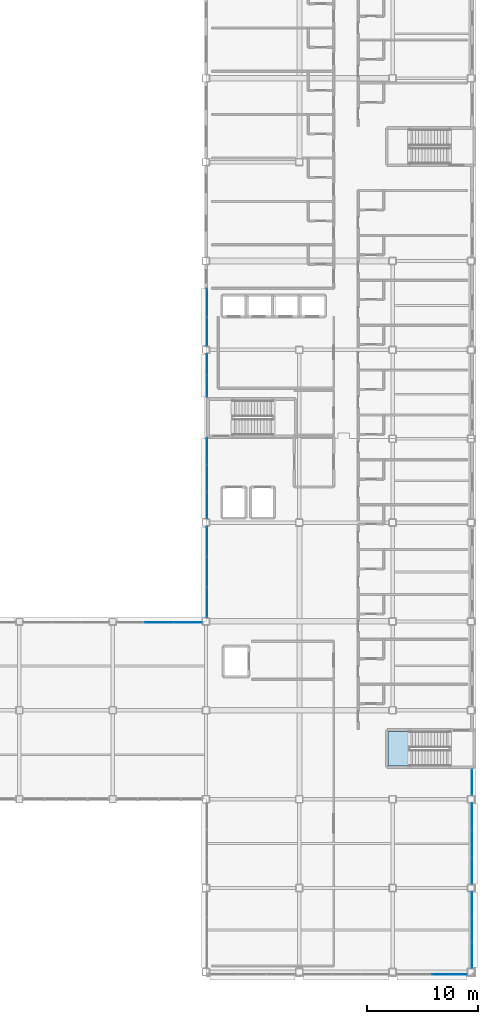
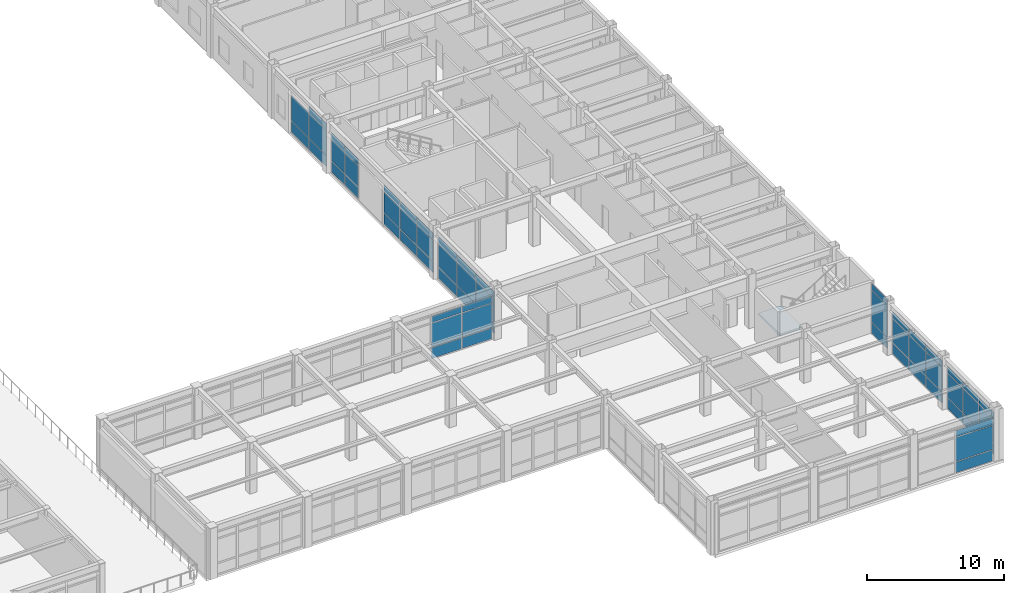
# One storey, part 70 of 93: 59 plates, 1 slab, 10 elements without a shape of their own.
"""IFC4 building model written with IfcOpenShell, lengths in metres."""

from ifc_helpers import new_model, si_unit, direction, frame, origin, origin_2d, place, context, subcontext, project, spatial, polyline, rectangle, outline, extrude, material, layer, layer_set, type_object, element, aggregate, save


model = new_model("IFC4")

# Units and contexts
model_context = context("Model", 3, precision=1e-05, world=origin(), true_north=direction((0.0, 1.0)))
body_context = subcontext(model_context, "Body", "Model", "MODEL_VIEW")
ifc_project = project(units=[si_unit("LENGTHUNIT", "METRE"), si_unit("AREAUNIT", "SQUARE_METRE"), si_unit("VOLUMEUNIT", "CUBIC_METRE"), si_unit("PLANEANGLEUNIT", "RADIAN"), si_unit("MASSUNIT", "GRAM", prefix="KILO")], contexts=[model_context])

# Site, building, storey
site_placement = place(None, origin())
site = spatial("IfcSite", under=ifc_project, at=site_placement, CompositionType="ELEMENT")
building_placement = place(site_placement, origin())
building = spatial("IfcBuilding", under=site, at=building_placement, Name="Kazehara Bluff Congress Hotel", CompositionType="ELEMENT")
storey_placement = place(building_placement, frame((0.0, 0.0, 15.0)))
storey = spatial("IfcBuildingStorey", under=building, at=storey_placement, Name="L03", CompositionType="ELEMENT", Elevation=15.0)

# Curtain wall, plates
ifc_material_1 = material(Name="Anodised aluminium", Category="aluminium")
ifc_layer_1 = layer(ifc_material_1, 0.159912109375)
ifc_layer_set_1 = layer_set([ifc_layer_1], Name="Anodised aluminium")
curtain_wall_type_1 = type_object("IfcCurtainWallType", Name="TP-CW-145", PredefinedType="NOTDEFINED", material=ifc_layer_set_1)
curtain_wall_1_placement = place(storey_placement, origin())
curtain_wall_1 = element("IfcCurtainWall", 1, at=curtain_wall_1_placement, inside=storey, type_object=curtain_wall_type_1, Name="L03 curtain wall CW-145 CW-ENC-V5-L03-16402-22", PredefinedType="NOTDEFINED")
ifc_material_2 = material(Name="Insulated low-E double glazing", Category="glass")
ifc_layer_2 = layer(ifc_material_2, 0.028076171875)
ifc_layer_set_2 = layer_set([ifc_layer_2], Name="Insulated low-E double glazing")
plate_type_1 = type_object("IfcPlateType", Name="TP-CWP-01", PredefinedType="CURTAIN_PANEL", material=ifc_layer_set_2)
plate_1_placement = place(storey_placement, frame((165.610107421875, 0.219970703125, 0.06005859375), z_axis=(0.0, 0.0, 1.0), x_axis=(-1.0, 0.0, 0.0)))
plate_1 = element("IfcPlate", 2, at=plate_1_placement, type_object=plate_type_1, Name="CW-145 panel 1.1", PredefinedType="CURTAIN_PANEL", context=body_context, shape_type="SweptSolid", body=[
    extrude(rectangle(XDim=3.110107421875, YDim=0.028076171875, at=origin_2d()), origin(), (0.0, 0.0, 1.0), 0.9599609375),
])
plate_2_placement = place(storey_placement, frame((165.610107421875, 0.219970703125, 1.080078125), z_axis=(0.0, 0.0, 1.0), x_axis=(-1.0, 0.0, 0.0)))
plate_2 = element("IfcPlate", 3, at=plate_2_placement, type_object=plate_type_1, Name="CW-145 panel 1.2", PredefinedType="CURTAIN_PANEL", context=body_context, shape_type="SweptSolid", body=[
    extrude(rectangle(XDim=3.110107421875, YDim=0.028076171875, at=origin_2d()), origin(), (0.0, 0.0, 1.0), 2.125),
])
plate_3_placement = place(storey_placement, frame((165.610107421875, 0.219970703125, 3.264892578125), z_axis=(0.0, 0.0, 1.0), x_axis=(-1.0, 0.0, 0.0)))
plate_3 = element("IfcPlate", 4, at=plate_3_placement, type_object=plate_type_1, Name="CW-145 panel 1.3", PredefinedType="CURTAIN_PANEL", context=body_context, shape_type="SweptSolid", body=[
    extrude(rectangle(XDim=3.110107421875, YDim=0.028076171875, at=origin_2d()), origin(), (0.0, 0.0, 1.0), 0.56005859375),
])
aggregate(curtain_wall_1, [plate_1, plate_2, plate_3])

ifc_material_3 = material(Name="Anodised aluminium", Category="aluminium")
ifc_layer_3 = layer(ifc_material_3, 0.159912109375)
ifc_layer_set_3 = layer_set([ifc_layer_3], Name="Anodised aluminium")
curtain_wall_type_2 = type_object("IfcCurtainWallType", Name="TP-CW-55", PredefinedType="NOTDEFINED", material=ifc_layer_set_3)
curtain_wall_2_placement = place(storey_placement, origin())
curtain_wall_2 = element("IfcCurtainWall", 5, at=curtain_wall_2_placement, inside=storey, type_object=curtain_wall_type_2, Name="L03 curtain wall CW-55 CW-ENC-V5-L03-16765-422", PredefinedType="NOTDEFINED")
plate_4_placement = place(storey_placement, frame((167.64990234375, 6.5087890625, 0.06494140625), z_axis=(0.0, 0.0, 1.0), x_axis=(0.0, -1.0, 0.0)))
plate_4 = element("IfcPlate", 6, at=plate_4_placement, type_object=plate_type_1, Name="CW-55 panel 1.1", PredefinedType="CURTAIN_PANEL", context=body_context, shape_type="SweptSolid", body=[
    extrude(rectangle(XDim=2.202392578125, YDim=0.028076171875, at=origin_2d()), origin(), (0.0, 0.0, 1.0), 0.952392578125),
])
plate_5_placement = place(storey_placement, frame((167.64990234375, 6.5087890625, 1.08251953125), z_axis=(0.0, 0.0, 1.0), x_axis=(0.0, -1.0, 0.0)))
plate_5 = element("IfcPlate", 7, at=plate_5_placement, type_object=plate_type_1, Name="CW-55 panel 1.2", PredefinedType="CURTAIN_PANEL", context=body_context, shape_type="SweptSolid", body=[
    extrude(rectangle(XDim=2.202392578125, YDim=0.028076171875, at=origin_2d()), origin(), (0.0, 0.0, 1.0), 2.1201171875),
])
plate_6_placement = place(storey_placement, frame((167.64990234375, 6.5087890625, 3.267578125), z_axis=(0.0, 0.0, 1.0), x_axis=(0.0, -1.0, 0.0)))
plate_6 = element("IfcPlate", 8, at=plate_6_placement, type_object=plate_type_1, Name="CW-55 panel 1.3", PredefinedType="CURTAIN_PANEL", context=body_context, shape_type="SweptSolid", body=[
    extrude(rectangle(XDim=2.202392578125, YDim=0.028076171875, at=origin_2d()), origin(), (0.0, 0.0, 1.0), 0.552490234375),
])
plate_7_placement = place(storey_placement, frame((167.64990234375, 4.22509765625, 0.06494140625), z_axis=(0.0, 0.0, 1.0), x_axis=(0.0, -1.0, 0.0)))
plate_7 = element("IfcPlate", 9, at=plate_7_placement, type_object=plate_type_1, Name="CW-55 panel 2.1", PredefinedType="CURTAIN_PANEL", context=body_context, shape_type="SweptSolid", body=[
    extrude(rectangle(XDim=2.235107421875, YDim=0.028076171875, at=origin_2d()), origin(), (0.0, 0.0, 1.0), 0.952392578125),
])
plate_8_placement = place(storey_placement, frame((167.64990234375, 4.22509765625, 1.08251953125), z_axis=(0.0, 0.0, 1.0), x_axis=(0.0, -1.0, 0.0)))
plate_8 = element("IfcPlate", 10, at=plate_8_placement, type_object=plate_type_1, Name="CW-55 panel 2.2", PredefinedType="CURTAIN_PANEL", context=body_context, shape_type="SweptSolid", body=[
    extrude(rectangle(XDim=2.235107421875, YDim=0.028076171875, at=origin_2d()), origin(), (0.0, 0.0, 1.0), 2.1201171875),
])
plate_9_placement = place(storey_placement, frame((167.64990234375, 4.22509765625, 3.267578125), z_axis=(0.0, 0.0, 1.0), x_axis=(0.0, -1.0, 0.0)))
plate_9 = element("IfcPlate", 11, at=plate_9_placement, type_object=plate_type_1, Name="CW-55 panel 2.3", PredefinedType="CURTAIN_PANEL", context=body_context, shape_type="SweptSolid", body=[
    extrude(rectangle(XDim=2.235107421875, YDim=0.028076171875, at=origin_2d()), origin(), (0.0, 0.0, 1.0), 0.552490234375),
])
plate_10_placement = place(storey_placement, frame((167.64990234375, 1.941162109375, 0.06494140625), z_axis=(0.0, 0.0, 1.0), x_axis=(0.0, -1.0, 0.0)))
plate_10 = element("IfcPlate", 12, at=plate_10_placement, type_object=plate_type_1, Name="CW-55 panel 3.1", PredefinedType="CURTAIN_PANEL", context=body_context, shape_type="SweptSolid", body=[
    extrude(rectangle(XDim=2.202392578125, YDim=0.028076171875, at=origin_2d()), origin(), (0.0, 0.0, 1.0), 0.952392578125),
])
plate_11_placement = place(storey_placement, frame((167.64990234375, 1.941162109375, 1.08251953125), z_axis=(0.0, 0.0, 1.0), x_axis=(0.0, -1.0, 0.0)))
plate_11 = element("IfcPlate", 13, at=plate_11_placement, type_object=plate_type_1, Name="CW-55 panel 3.2", PredefinedType="CURTAIN_PANEL", context=body_context, shape_type="SweptSolid", body=[
    extrude(rectangle(XDim=2.202392578125, YDim=0.028076171875, at=origin_2d()), origin(), (0.0, 0.0, 1.0), 2.1201171875),
])
plate_12_placement = place(storey_placement, frame((167.64990234375, 1.941162109375, 3.267578125), z_axis=(0.0, 0.0, 1.0), x_axis=(0.0, -1.0, 0.0)))
plate_12 = element("IfcPlate", 14, at=plate_12_placement, type_object=plate_type_1, Name="CW-55 panel 3.3", PredefinedType="CURTAIN_PANEL", context=body_context, shape_type="SweptSolid", body=[
    extrude(rectangle(XDim=2.202392578125, YDim=0.028076171875, at=origin_2d()), origin(), (0.0, 0.0, 1.0), 0.552490234375),
])
aggregate(curtain_wall_2, [plate_4, plate_5, plate_6, plate_7, plate_8, plate_9, plate_10, plate_11, plate_12])

ifc_material_4 = material(Name="Anodised aluminium", Category="aluminium")
ifc_layer_4 = layer(ifc_material_4, 0.159912109375)
ifc_layer_set_4 = layer_set([ifc_layer_4], Name="Anodised aluminium")
curtain_wall_type_3 = type_object("IfcCurtainWallType", Name="TP-CW-56", PredefinedType="NOTDEFINED", material=ifc_layer_set_4)
curtain_wall_3_placement = place(storey_placement, origin())
curtain_wall_3 = element("IfcCurtainWall", 15, at=curtain_wall_3_placement, inside=storey, type_object=curtain_wall_type_3, Name="L03 curtain wall CW-56 CW-ENC-V5-L03-16765-1200", PredefinedType="NOTDEFINED")
plate_13_placement = place(storey_placement, frame((167.64990234375, 14.433837890625, 0.06494140625), z_axis=(0.0, 0.0, 1.0), x_axis=(0.0, -1.0, 0.0)))
plate_13 = element("IfcPlate", 16, at=plate_13_placement, type_object=plate_type_1, Name="CW-56 panel 1.1", PredefinedType="CURTAIN_PANEL", context=body_context, shape_type="SweptSolid", body=[
    extrude(rectangle(XDim=2.3525390625, YDim=0.028076171875, at=origin_2d()), origin(), (0.0, 0.0, 1.0), 0.952392578125),
])
plate_14_placement = place(storey_placement, frame((167.64990234375, 14.433837890625, 1.08251953125), z_axis=(0.0, 0.0, 1.0), x_axis=(0.0, -1.0, 0.0)))
plate_14 = element("IfcPlate", 17, at=plate_14_placement, type_object=plate_type_1, Name="CW-56 panel 1.2", PredefinedType="CURTAIN_PANEL", context=body_context, shape_type="SweptSolid", body=[
    extrude(rectangle(XDim=2.3525390625, YDim=0.028076171875, at=origin_2d()), origin(), (0.0, 0.0, 1.0), 2.1201171875),
])
plate_15_placement = place(storey_placement, frame((167.64990234375, 14.433837890625, 3.267578125), z_axis=(0.0, 0.0, 1.0), x_axis=(0.0, -1.0, 0.0)))
plate_15 = element("IfcPlate", 18, at=plate_15_placement, type_object=plate_type_1, Name="CW-56 panel 1.3", PredefinedType="CURTAIN_PANEL", context=body_context, shape_type="SweptSolid", body=[
    extrude(rectangle(XDim=2.3525390625, YDim=0.028076171875, at=origin_2d()), origin(), (0.0, 0.0, 1.0), 0.552490234375),
])
plate_16_placement = place(storey_placement, frame((167.64990234375, 12.0, 0.06494140625), z_axis=(0.0, 0.0, 1.0), x_axis=(0.0, -1.0, 0.0)))
plate_16 = element("IfcPlate", 19, at=plate_16_placement, type_object=plate_type_1, Name="CW-56 panel 2.1", PredefinedType="CURTAIN_PANEL", context=body_context, shape_type="SweptSolid", body=[
    extrude(rectangle(XDim=2.385009765625, YDim=0.028076171875, at=origin_2d()), origin(), (0.0, 0.0, 1.0), 0.952392578125),
])
plate_17_placement = place(storey_placement, frame((167.64990234375, 12.0, 1.08251953125), z_axis=(0.0, 0.0, 1.0), x_axis=(0.0, -1.0, 0.0)))
plate_17 = element("IfcPlate", 20, at=plate_17_placement, type_object=plate_type_1, Name="CW-56 panel 2.2", PredefinedType="CURTAIN_PANEL", context=body_context, shape_type="SweptSolid", body=[
    extrude(rectangle(XDim=2.385009765625, YDim=0.028076171875, at=origin_2d()), origin(), (0.0, 0.0, 1.0), 2.1201171875),
])
plate_18_placement = place(storey_placement, frame((167.64990234375, 12.0, 3.267578125), z_axis=(0.0, 0.0, 1.0), x_axis=(0.0, -1.0, 0.0)))
plate_18 = element("IfcPlate", 21, at=plate_18_placement, type_object=plate_type_1, Name="CW-56 panel 2.3", PredefinedType="CURTAIN_PANEL", context=body_context, shape_type="SweptSolid", body=[
    extrude(rectangle(XDim=2.385009765625, YDim=0.028076171875, at=origin_2d()), origin(), (0.0, 0.0, 1.0), 0.552490234375),
])
plate_19_placement = place(storey_placement, frame((167.64990234375, 9.566162109375, 0.06494140625), z_axis=(0.0, 0.0, 1.0), x_axis=(0.0, -1.0, 0.0)))
plate_19 = element("IfcPlate", 22, at=plate_19_placement, type_object=plate_type_1, Name="CW-56 panel 3.1", PredefinedType="CURTAIN_PANEL", context=body_context, shape_type="SweptSolid", body=[
    extrude(rectangle(XDim=2.3525390625, YDim=0.028076171875, at=origin_2d()), origin(), (0.0, 0.0, 1.0), 0.952392578125),
])
plate_20_placement = place(storey_placement, frame((167.64990234375, 9.566162109375, 1.08251953125), z_axis=(0.0, 0.0, 1.0), x_axis=(0.0, -1.0, 0.0)))
plate_20 = element("IfcPlate", 23, at=plate_20_placement, type_object=plate_type_1, Name="CW-56 panel 3.2", PredefinedType="CURTAIN_PANEL", context=body_context, shape_type="SweptSolid", body=[
    extrude(rectangle(XDim=2.3525390625, YDim=0.028076171875, at=origin_2d()), origin(), (0.0, 0.0, 1.0), 2.1201171875),
])
plate_21_placement = place(storey_placement, frame((167.64990234375, 9.566162109375, 3.267578125), z_axis=(0.0, 0.0, 1.0), x_axis=(0.0, -1.0, 0.0)))
plate_21 = element("IfcPlate", 24, at=plate_21_placement, type_object=plate_type_1, Name="CW-56 panel 3.3", PredefinedType="CURTAIN_PANEL", context=body_context, shape_type="SweptSolid", body=[
    extrude(rectangle(XDim=2.3525390625, YDim=0.028076171875, at=origin_2d()), origin(), (0.0, 0.0, 1.0), 0.552490234375),
])
aggregate(curtain_wall_3, [plate_13, plate_14, plate_15, plate_16, plate_17, plate_18, plate_19, plate_20, plate_21])

ifc_material_5 = material(Name="Anodised aluminium", Category="aluminium")
ifc_layer_5 = layer(ifc_material_5, 0.159912109375)
ifc_layer_set_5 = layer_set([ifc_layer_5], Name="Anodised aluminium")
curtain_wall_type_4 = type_object("IfcCurtainWallType", Name="TP-CW-148", PredefinedType="NOTDEFINED", material=ifc_layer_set_5)
curtain_wall_4_placement = place(storey_placement, origin())
curtain_wall_4 = element("IfcCurtainWall", 25, at=curtain_wall_4_placement, inside=storey, type_object=curtain_wall_type_4, Name="L03 curtain wall CW-148 CW-ENC-V5-L03-14380-3645", PredefinedType="NOTDEFINED")
plate_22_placement = place(storey_placement, frame((143.800048828125, 33.71630859375, 0.06494140625), z_axis=(0.0, 0.0, 1.0), x_axis=(0.0, 1.0, 0.0)))
plate_22 = element("IfcPlate", 26, at=plate_22_placement, type_object=plate_type_1, Name="CW-148 panel 1.1", PredefinedType="CURTAIN_PANEL", context=body_context, shape_type="SweptSolid", body=[
    extrude(rectangle(XDim=2.652587890625, YDim=0.028076171875, at=origin_2d()), origin(), (0.0, 0.0, 1.0), 0.952392578125),
])
plate_23_placement = place(storey_placement, frame((143.800048828125, 33.71630859375, 1.08251953125), z_axis=(0.0, 0.0, 1.0), x_axis=(0.0, 1.0, 0.0)))
plate_23 = element("IfcPlate", 27, at=plate_23_placement, type_object=plate_type_1, Name="CW-148 panel 1.2", PredefinedType="CURTAIN_PANEL", context=body_context, shape_type="SweptSolid", body=[
    extrude(rectangle(XDim=2.652587890625, YDim=0.028076171875, at=origin_2d()), origin(), (0.0, 0.0, 1.0), 2.070068359375),
])
plate_24_placement = place(storey_placement, frame((143.800048828125, 33.71630859375, 3.21728515625), z_axis=(0.0, 0.0, 1.0), x_axis=(0.0, 1.0, 0.0)))
plate_24 = element("IfcPlate", 28, at=plate_24_placement, type_object=plate_type_1, Name="CW-148 panel 1.3", PredefinedType="CURTAIN_PANEL", context=body_context, shape_type="SweptSolid", body=[
    extrude(rectangle(XDim=2.652587890625, YDim=0.028076171875, at=origin_2d()), origin(), (0.0, 0.0, 1.0), 0.552490234375),
])
plate_25_placement = place(storey_placement, frame((143.800048828125, 36.449951171875, 0.06494140625), z_axis=(0.0, 0.0, 1.0), x_axis=(0.0, 1.0, 0.0)))
plate_25 = element("IfcPlate", 29, at=plate_25_placement, type_object=plate_type_1, Name="CW-148 panel 2.1", PredefinedType="CURTAIN_PANEL", context=body_context, shape_type="SweptSolid", body=[
    extrude(rectangle(XDim=2.68505859375, YDim=0.028076171875, at=origin_2d()), origin(), (0.0, 0.0, 1.0), 0.952392578125),
])
plate_26_placement = place(storey_placement, frame((143.800048828125, 36.449951171875, 1.08251953125), z_axis=(0.0, 0.0, 1.0), x_axis=(0.0, 1.0, 0.0)))
plate_26 = element("IfcPlate", 30, at=plate_26_placement, type_object=plate_type_1, Name="CW-148 panel 2.2", PredefinedType="CURTAIN_PANEL", context=body_context, shape_type="SweptSolid", body=[
    extrude(rectangle(XDim=2.68505859375, YDim=0.028076171875, at=origin_2d()), origin(), (0.0, 0.0, 1.0), 2.070068359375),
])
plate_27_placement = place(storey_placement, frame((143.800048828125, 36.449951171875, 3.21728515625), z_axis=(0.0, 0.0, 1.0), x_axis=(0.0, 1.0, 0.0)))
plate_27 = element("IfcPlate", 31, at=plate_27_placement, type_object=plate_type_1, Name="CW-148 panel 2.3", PredefinedType="CURTAIN_PANEL", context=body_context, shape_type="SweptSolid", body=[
    extrude(rectangle(XDim=2.68505859375, YDim=0.028076171875, at=origin_2d()), origin(), (0.0, 0.0, 1.0), 0.552490234375),
])
plate_28_placement = place(storey_placement, frame((143.800048828125, 39.183837890625, 0.06494140625), z_axis=(0.0, 0.0, 1.0), x_axis=(0.0, 1.0, 0.0)))
plate_28 = element("IfcPlate", 32, at=plate_28_placement, type_object=plate_type_1, Name="CW-148 panel 3.1", PredefinedType="CURTAIN_PANEL", context=body_context, shape_type="SweptSolid", body=[
    extrude(rectangle(XDim=2.652587890625, YDim=0.028076171875, at=origin_2d()), origin(), (0.0, 0.0, 1.0), 0.952392578125),
])
plate_29_placement = place(storey_placement, frame((143.800048828125, 39.183837890625, 1.08251953125), z_axis=(0.0, 0.0, 1.0), x_axis=(0.0, 1.0, 0.0)))
plate_29 = element("IfcPlate", 33, at=plate_29_placement, type_object=plate_type_1, Name="CW-148 panel 3.2", PredefinedType="CURTAIN_PANEL", context=body_context, shape_type="SweptSolid", body=[
    extrude(rectangle(XDim=2.652587890625, YDim=0.028076171875, at=origin_2d()), origin(), (0.0, 0.0, 1.0), 2.070068359375),
])
plate_30_placement = place(storey_placement, frame((143.800048828125, 39.183837890625, 3.21728515625), z_axis=(0.0, 0.0, 1.0), x_axis=(0.0, 1.0, 0.0)))
plate_30 = element("IfcPlate", 34, at=plate_30_placement, type_object=plate_type_1, Name="CW-148 panel 3.3", PredefinedType="CURTAIN_PANEL", context=body_context, shape_type="SweptSolid", body=[
    extrude(rectangle(XDim=2.652587890625, YDim=0.028076171875, at=origin_2d()), origin(), (0.0, 0.0, 1.0), 0.552490234375),
])
aggregate(curtain_wall_4, [plate_22, plate_23, plate_24, plate_25, plate_26, plate_27, plate_28, plate_29, plate_30])

ifc_material_6 = material(Name="Anodised aluminium", Category="aluminium")
ifc_layer_6 = layer(ifc_material_6, 0.159912109375)
ifc_layer_set_6 = layer_set([ifc_layer_6], Name="Anodised aluminium")
curtain_wall_type_5 = type_object("IfcCurtainWallType", Name="TP-CW-149", PredefinedType="NOTDEFINED", material=ifc_layer_set_6)
curtain_wall_5_placement = place(storey_placement, origin())
curtain_wall_5 = element("IfcCurtainWall", 35, at=curtain_wall_5_placement, inside=storey, type_object=curtain_wall_type_5, Name="L03 curtain wall CW-149 CW-ENC-V5-L03-14380-4488", PredefinedType="NOTDEFINED")
plate_31_placement = place(storey_placement, frame((143.800048828125, 42.46044921875, 0.06494140625), z_axis=(0.0, 0.0, 1.0), x_axis=(0.0, 1.0, 0.0)))
plate_31 = element("IfcPlate", 36, at=plate_31_placement, type_object=plate_type_1, Name="CW-149 panel 1.1", PredefinedType="CURTAIN_PANEL", context=body_context, shape_type="SweptSolid", body=[
    extrude(rectangle(XDim=2.3408203125, YDim=0.028076171875, at=origin_2d()), origin(), (0.0, 0.0, 1.0), 0.952392578125),
])
plate_32_placement = place(storey_placement, frame((143.800048828125, 42.46044921875, 1.08251953125), z_axis=(0.0, 0.0, 1.0), x_axis=(0.0, 1.0, 0.0)))
plate_32 = element("IfcPlate", 37, at=plate_32_placement, type_object=plate_type_1, Name="CW-149 panel 1.2", PredefinedType="CURTAIN_PANEL", context=body_context, shape_type="SweptSolid", body=[
    extrude(rectangle(XDim=2.3408203125, YDim=0.028076171875, at=origin_2d()), origin(), (0.0, 0.0, 1.0), 1.8701171875),
])
plate_33_placement = place(storey_placement, frame((143.800048828125, 42.46044921875, 3.017578125), z_axis=(0.0, 0.0, 1.0), x_axis=(0.0, 1.0, 0.0)))
plate_33 = element("IfcPlate", 38, at=plate_33_placement, type_object=plate_type_1, Name="CW-149 panel 1.3", PredefinedType="CURTAIN_PANEL", context=body_context, shape_type="SweptSolid", body=[
    extrude(rectangle(XDim=2.3408203125, YDim=0.028076171875, at=origin_2d()), origin(), (0.0, 0.0, 1.0), 0.552490234375),
])
plate_34_placement = place(storey_placement, frame((143.800048828125, 44.882568359375, 0.06494140625), z_axis=(0.0, 0.0, 1.0), x_axis=(0.0, 1.0, 0.0)))
plate_34 = element("IfcPlate", 39, at=plate_34_placement, type_object=plate_type_1, Name="CW-149 panel 2.1", PredefinedType="CURTAIN_PANEL", context=body_context, shape_type="SweptSolid", body=[
    extrude(rectangle(XDim=2.373291015625, YDim=0.028076171875, at=origin_2d()), origin(), (0.0, 0.0, 1.0), 0.952392578125),
])
plate_35_placement = place(storey_placement, frame((143.800048828125, 44.882568359375, 1.08251953125), z_axis=(0.0, 0.0, 1.0), x_axis=(0.0, 1.0, 0.0)))
plate_35 = element("IfcPlate", 40, at=plate_35_placement, type_object=plate_type_1, Name="CW-149 panel 2.2", PredefinedType="CURTAIN_PANEL", context=body_context, shape_type="SweptSolid", body=[
    extrude(rectangle(XDim=2.373291015625, YDim=0.028076171875, at=origin_2d()), origin(), (0.0, 0.0, 1.0), 1.8701171875),
])
plate_36_placement = place(storey_placement, frame((143.800048828125, 44.882568359375, 3.017578125), z_axis=(0.0, 0.0, 1.0), x_axis=(0.0, 1.0, 0.0)))
plate_36 = element("IfcPlate", 41, at=plate_36_placement, type_object=plate_type_1, Name="CW-149 panel 2.3", PredefinedType="CURTAIN_PANEL", context=body_context, shape_type="SweptSolid", body=[
    extrude(rectangle(XDim=2.373291015625, YDim=0.028076171875, at=origin_2d()), origin(), (0.0, 0.0, 1.0), 0.552490234375),
])
plate_37_placement = place(storey_placement, frame((143.800048828125, 47.3046875, 0.06494140625), z_axis=(0.0, 0.0, 1.0), x_axis=(0.0, 1.0, 0.0)))
plate_37 = element("IfcPlate", 42, at=plate_37_placement, type_object=plate_type_1, Name="CW-149 panel 3.1", PredefinedType="CURTAIN_PANEL", context=body_context, shape_type="SweptSolid", body=[
    extrude(rectangle(XDim=2.3408203125, YDim=0.028076171875, at=origin_2d()), origin(), (0.0, 0.0, 1.0), 0.952392578125),
])
plate_38_placement = place(storey_placement, frame((143.800048828125, 47.3046875, 1.08251953125), z_axis=(0.0, 0.0, 1.0), x_axis=(0.0, 1.0, 0.0)))
plate_38 = element("IfcPlate", 43, at=plate_38_placement, type_object=plate_type_1, Name="CW-149 panel 3.2", PredefinedType="CURTAIN_PANEL", context=body_context, shape_type="SweptSolid", body=[
    extrude(rectangle(XDim=2.3408203125, YDim=0.028076171875, at=origin_2d()), origin(), (0.0, 0.0, 1.0), 1.8701171875),
])
plate_39_placement = place(storey_placement, frame((143.800048828125, 47.3046875, 3.017578125), z_axis=(0.0, 0.0, 1.0), x_axis=(0.0, 1.0, 0.0)))
plate_39 = element("IfcPlate", 44, at=plate_39_placement, type_object=plate_type_1, Name="CW-149 panel 3.3", PredefinedType="CURTAIN_PANEL", context=body_context, shape_type="SweptSolid", body=[
    extrude(rectangle(XDim=2.3408203125, YDim=0.028076171875, at=origin_2d()), origin(), (0.0, 0.0, 1.0), 0.552490234375),
])
aggregate(curtain_wall_5, [plate_31, plate_32, plate_33, plate_34, plate_35, plate_36, plate_37, plate_38, plate_39])

ifc_material_7 = material(Name="Anodised aluminium", Category="aluminium")
ifc_layer_7 = layer(ifc_material_7, 0.159912109375)
ifc_layer_set_7 = layer_set([ifc_layer_7], Name="Anodised aluminium")
curtain_wall_type_6 = type_object("IfcCurtainWallType", Name="TP-CW-151", PredefinedType="NOTDEFINED", material=ifc_layer_set_7)
curtain_wall_6_placement = place(storey_placement, origin())
curtain_wall_6 = element("IfcCurtainWall", 45, at=curtain_wall_6_placement, inside=storey, type_object=curtain_wall_type_6, Name="L03 curtain wall CW-151 CW-ENC-V5-L03-14380-5939", PredefinedType="NOTDEFINED")
plate_40_placement = place(storey_placement, frame((143.800048828125, 58.09619140625, 0.06005859375), z_axis=(0.0, 0.0, 1.0), x_axis=(0.0, 1.0, 0.0)))
plate_40 = element("IfcPlate", 46, at=plate_40_placement, type_object=plate_type_1, Name="CW-151 panel 1.1", PredefinedType="CURTAIN_PANEL", context=body_context, shape_type="SweptSolid", body=[
    extrude(rectangle(XDim=2.5224609375, YDim=0.028076171875, at=origin_2d()), origin(), (0.0, 0.0, 1.0), 0.9599609375),
])
plate_41_placement = place(storey_placement, frame((143.800048828125, 58.09619140625, 1.079833984375), z_axis=(0.0, 0.0, 1.0), x_axis=(0.0, 1.0, 0.0)))
plate_41 = element("IfcPlate", 47, at=plate_41_placement, type_object=plate_type_1, Name="CW-151 panel 1.2", PredefinedType="CURTAIN_PANEL", context=body_context, shape_type="SweptSolid", body=[
    extrude(rectangle(XDim=2.5224609375, YDim=0.028076171875, at=origin_2d()), origin(), (0.0, 0.0, 1.0), 2.22509765625),
])
plate_42_placement = place(storey_placement, frame((143.800048828125, 58.09619140625, 3.364990234375), z_axis=(0.0, 0.0, 1.0), x_axis=(0.0, 1.0, 0.0)))
plate_42 = element("IfcPlate", 48, at=plate_42_placement, type_object=plate_type_1, Name="CW-151 panel 1.3", PredefinedType="CURTAIN_PANEL", context=body_context, shape_type="SweptSolid", body=[
    extrude(rectangle(XDim=2.5224609375, YDim=0.028076171875, at=origin_2d()), origin(), (0.0, 0.0, 1.0), 0.56005859375),
])
plate_43_placement = place(storey_placement, frame((143.800048828125, 60.6787109375, 0.06005859375), z_axis=(0.0, 0.0, 1.0), x_axis=(0.0, 1.0, 0.0)))
plate_43 = element("IfcPlate", 49, at=plate_43_placement, type_object=plate_type_1, Name="CW-151 panel 2.1", PredefinedType="CURTAIN_PANEL", context=body_context, shape_type="SweptSolid", body=[
    extrude(rectangle(XDim=2.5224609375, YDim=0.028076171875, at=origin_2d()), origin(), (0.0, 0.0, 1.0), 0.9599609375),
])
plate_44_placement = place(storey_placement, frame((143.800048828125, 60.6787109375, 1.079833984375), z_axis=(0.0, 0.0, 1.0), x_axis=(0.0, 1.0, 0.0)))
plate_44 = element("IfcPlate", 50, at=plate_44_placement, type_object=plate_type_1, Name="CW-151 panel 2.2", PredefinedType="CURTAIN_PANEL", context=body_context, shape_type="SweptSolid", body=[
    extrude(rectangle(XDim=2.5224609375, YDim=0.028076171875, at=origin_2d()), origin(), (0.0, 0.0, 1.0), 2.22509765625),
])
aggregate(curtain_wall_6, [plate_40, plate_41, plate_42, plate_43, plate_44])

ifc_material_8 = material(Name="Anodised aluminium", Category="aluminium")
ifc_layer_8 = layer(ifc_material_8, 0.159912109375)
ifc_layer_set_8 = layer_set([ifc_layer_8], Name="Anodised aluminium")
curtain_wall_type_7 = type_object("IfcCurtainWallType", Name="TP-CW-24", PredefinedType="NOTDEFINED", material=ifc_layer_set_8)
curtain_wall_7_placement = place(storey_placement, origin())
curtain_wall_7 = element("IfcCurtainWall", 51, at=curtain_wall_7_placement, inside=storey, type_object=curtain_wall_type_7, Name="L03 curtain wall CW-24 CW-ENC-V5-L03-13950-3190", PredefinedType="NOTDEFINED")
plate_45_placement = place(storey_placement, frame((139.5, 31.89990234375, 0.06494140625), z_axis=(0.0, 0.0, 1.0), x_axis=(1.0, 0.0, 0.0)))
plate_45 = element("IfcPlate", 52, at=plate_45_placement, type_object=plate_type_1, Name="CW-24 panel 2.1", PredefinedType="CURTAIN_PANEL", context=body_context, shape_type="SweptSolid", body=[
    extrude(rectangle(XDim=2.518310546875, YDim=0.028076171875, at=origin_2d()), origin(), (0.0, 0.0, 1.0), 0.952392578125),
])
plate_46_placement = place(storey_placement, frame((139.5, 31.89990234375, 1.08251953125), z_axis=(0.0, 0.0, 1.0), x_axis=(1.0, 0.0, 0.0)))
plate_46 = element("IfcPlate", 53, at=plate_46_placement, type_object=plate_type_1, Name="CW-24 panel 2.2", PredefinedType="CURTAIN_PANEL", context=body_context, shape_type="SweptSolid", body=[
    extrude(rectangle(XDim=2.518310546875, YDim=0.028076171875, at=origin_2d()), origin(), (0.0, 0.0, 1.0), 2.1201171875),
])
plate_47_placement = place(storey_placement, frame((139.5, 31.89990234375, 3.267578125), z_axis=(0.0, 0.0, 1.0), x_axis=(1.0, 0.0, 0.0)))
plate_47 = element("IfcPlate", 54, at=plate_47_placement, type_object=plate_type_1, Name="CW-24 panel 2.3", PredefinedType="CURTAIN_PANEL", context=body_context, shape_type="SweptSolid", body=[
    extrude(rectangle(XDim=2.518310546875, YDim=0.028076171875, at=origin_2d()), origin(), (0.0, 0.0, 1.0), 0.552490234375),
])
plate_48_placement = place(storey_placement, frame((142.067138671875, 31.89990234375, 0.06494140625), z_axis=(0.0, 0.0, 1.0), x_axis=(1.0, 0.0, 0.0)))
plate_48 = element("IfcPlate", 55, at=plate_48_placement, type_object=plate_type_1, Name="CW-24 panel 3.1", PredefinedType="CURTAIN_PANEL", context=body_context, shape_type="SweptSolid", body=[
    extrude(rectangle(XDim=2.48583984375, YDim=0.028076171875, at=origin_2d()), origin(), (0.0, 0.0, 1.0), 0.952392578125),
])
plate_49_placement = place(storey_placement, frame((142.067138671875, 31.89990234375, 1.08251953125), z_axis=(0.0, 0.0, 1.0), x_axis=(1.0, 0.0, 0.0)))
plate_49 = element("IfcPlate", 56, at=plate_49_placement, type_object=plate_type_1, Name="CW-24 panel 3.2", PredefinedType="CURTAIN_PANEL", context=body_context, shape_type="SweptSolid", body=[
    extrude(rectangle(XDim=2.48583984375, YDim=0.028076171875, at=origin_2d()), origin(), (0.0, 0.0, 1.0), 2.1201171875),
])
plate_50_placement = place(storey_placement, frame((142.067138671875, 31.89990234375, 3.267578125), z_axis=(0.0, 0.0, 1.0), x_axis=(1.0, 0.0, 0.0)))
plate_50 = element("IfcPlate", 57, at=plate_50_placement, type_object=plate_type_1, Name="CW-24 panel 3.3", PredefinedType="CURTAIN_PANEL", context=body_context, shape_type="SweptSolid", body=[
    extrude(rectangle(XDim=2.48583984375, YDim=0.028076171875, at=origin_2d()), origin(), (0.0, 0.0, 1.0), 0.552490234375),
])
aggregate(curtain_wall_7, [plate_45, plate_46, plate_47, plate_48, plate_49, plate_50])

ifc_material_9 = material(Name="Anodised aluminium", Category="aluminium")
ifc_layer_9 = layer(ifc_material_9, 0.159912109375)
ifc_layer_set_9 = layer_set([ifc_layer_9], Name="Anodised aluminium")
curtain_wall_type_8 = type_object("IfcCurtainWallType", Name="TP-CW-146", PredefinedType="NOTDEFINED", material=ifc_layer_set_9)
curtain_wall_8_placement = place(storey_placement, origin())
curtain_wall_8 = element("IfcCurtainWall", 58, at=curtain_wall_8_placement, inside=storey, type_object=curtain_wall_type_8, Name="L03 curtain wall CW-146 CW-ENC-V5-L03-16765-1753", PredefinedType="NOTDEFINED")
ifc_material_10 = material(Name="Insulated low-E double glazing", Category="glass")
ifc_layer_10 = layer(ifc_material_10, 0.031982421875)
ifc_layer_set_10 = layer_set([ifc_layer_10], Name="Insulated low-E double glazing")
plate_type_2 = type_object("IfcPlateType", Name="TP-CWP-02", PredefinedType="CURTAIN_PANEL", material=ifc_layer_set_10)
plate_51_placement = place(storey_placement, frame((167.64990234375, 17.532470703125, 0.06005859375), z_axis=(0.0, 0.0, 1.0), x_axis=(0.0, -1.0, 0.0)))
plate_51 = element("IfcPlate", 59, at=plate_51_placement, type_object=plate_type_2, Name="CW-146 panel 1.1", PredefinedType="CURTAIN_PANEL", context=body_context, shape_type="SweptSolid", body=[
    extrude(rectangle(XDim=2.27490234375, YDim=0.031982421875, at=origin_2d()), origin(), (0.0, 0.0, 1.0), 0.9599609375),
])
plate_52_placement = place(storey_placement, frame((167.64990234375, 17.532470703125, 1.080078125), z_axis=(0.0, 0.0, 1.0), x_axis=(0.0, -1.0, 0.0)))
plate_52 = element("IfcPlate", 60, at=plate_52_placement, type_object=plate_type_2, Name="CW-146 panel 1.2", PredefinedType="CURTAIN_PANEL", context=body_context, shape_type="SweptSolid", body=[
    extrude(rectangle(XDim=2.27490234375, YDim=0.031982421875, at=origin_2d()), origin(), (0.0, 0.0, 1.0), 2.784912109375),
])
plate_53_placement = place(storey_placement, frame((167.64990234375, 17.532470703125, 3.925048828125), z_axis=(0.0, 0.0, 1.0), x_axis=(0.0, -1.0, 0.0)))
plate_53 = element("IfcPlate", 61, at=plate_53_placement, type_object=plate_type_2, Name="CW-146 panel 1.3", PredefinedType="CURTAIN_PANEL", context=body_context, shape_type="SweptSolid", body=[
    extrude(rectangle(XDim=2.27490234375, YDim=0.031982421875, at=origin_2d()), origin(), (0.0, 0.0, 1.0), 0.56005859375),
])
aggregate(curtain_wall_8, [plate_51, plate_52, plate_53])

ifc_material_11 = material(Name="Anodised aluminium", Category="aluminium")
ifc_layer_11 = layer(ifc_material_11, 0.159912109375)
ifc_layer_set_11 = layer_set([ifc_layer_11], Name="Anodised aluminium")
curtain_wall_type_9 = type_object("IfcCurtainWallType", Name="TP-CW-150", PredefinedType="NOTDEFINED", material=ifc_layer_set_11)
curtain_wall_9_placement = place(storey_placement, origin())
curtain_wall_9 = element("IfcCurtainWall", 62, at=curtain_wall_9_placement, inside=storey, type_object=curtain_wall_type_9, Name="L03 curtain wall CW-150 CW-ENC-V5-L03-14380-5414", PredefinedType="NOTDEFINED")
ifc_material_12 = material(Name="Insulated low-E double glazing", Category="glass")
ifc_layer_12 = layer(ifc_material_12, 0.02001953125)
ifc_layer_set_12 = layer_set([ifc_layer_12], Name="Insulated low-E double glazing")
plate_type_3 = type_object("IfcPlateType", Name="TP-CWP-03", PredefinedType="CURTAIN_PANEL", material=ifc_layer_set_12)
plate_54_placement = place(storey_placement, frame((143.800048828125, 53.166259765625, 0.06005859375), z_axis=(0.0, 0.0, 1.0), x_axis=(0.0, 1.0, 0.0)))
plate_54 = element("IfcPlate", 63, at=plate_54_placement, type_object=plate_type_3, Name="CW-150 panel 1.1", PredefinedType="CURTAIN_PANEL", context=body_context, shape_type="SweptSolid", body=[
    extrude(rectangle(XDim=1.892578125, YDim=0.02001953125, at=origin_2d()), origin(), (0.0, 0.0, 1.0), 0.9599609375),
])
plate_55_placement = place(storey_placement, frame((143.800048828125, 53.166259765625, 1.080078125), z_axis=(0.0, 0.0, 1.0), x_axis=(0.0, 1.0, 0.0)))
plate_55 = element("IfcPlate", 64, at=plate_55_placement, type_object=plate_type_3, Name="CW-150 panel 1.2", PredefinedType="CURTAIN_PANEL", context=body_context, shape_type="SweptSolid", body=[
    extrude(rectangle(XDim=1.892578125, YDim=0.02001953125, at=origin_2d()), origin(), (0.0, 0.0, 1.0), 1.875),
])
plate_56_placement = place(storey_placement, frame((143.800048828125, 53.166259765625, 3.014892578125), z_axis=(0.0, 0.0, 1.0), x_axis=(0.0, 1.0, 0.0)))
plate_56 = element("IfcPlate", 65, at=plate_56_placement, type_object=plate_type_3, Name="CW-150 panel 1.3", PredefinedType="CURTAIN_PANEL", context=body_context, shape_type="SweptSolid", body=[
    extrude(rectangle(XDim=1.892578125, YDim=0.02001953125, at=origin_2d()), origin(), (0.0, 0.0, 1.0), 0.56005859375),
])
plate_57_placement = place(storey_placement, frame((143.800048828125, 55.11865234375, 0.06005859375), z_axis=(0.0, 0.0, 1.0), x_axis=(0.0, 1.0, 0.0)))
plate_57 = element("IfcPlate", 66, at=plate_57_placement, type_object=plate_type_3, Name="CW-150 panel 2.1", PredefinedType="CURTAIN_PANEL", context=body_context, shape_type="SweptSolid", body=[
    extrude(rectangle(XDim=1.892578125, YDim=0.02001953125, at=origin_2d()), origin(), (0.0, 0.0, 1.0), 0.9599609375),
])
plate_58_placement = place(storey_placement, frame((143.800048828125, 55.11865234375, 1.080078125), z_axis=(0.0, 0.0, 1.0), x_axis=(0.0, 1.0, 0.0)))
plate_58 = element("IfcPlate", 67, at=plate_58_placement, type_object=plate_type_3, Name="CW-150 panel 2.2", PredefinedType="CURTAIN_PANEL", context=body_context, shape_type="SweptSolid", body=[
    extrude(rectangle(XDim=1.892578125, YDim=0.02001953125, at=origin_2d()), origin(), (0.0, 0.0, 1.0), 1.875),
])
plate_59_placement = place(storey_placement, frame((143.800048828125, 55.11865234375, 3.014892578125), z_axis=(0.0, 0.0, 1.0), x_axis=(0.0, 1.0, 0.0)))
plate_59 = element("IfcPlate", 68, at=plate_59_placement, type_object=plate_type_3, Name="CW-150 panel 2.3", PredefinedType="CURTAIN_PANEL", context=body_context, shape_type="SweptSolid", body=[
    extrude(rectangle(XDim=1.892578125, YDim=0.02001953125, at=origin_2d()), origin(), (0.0, 0.0, 1.0), 0.56005859375),
])
aggregate(curtain_wall_9, [plate_54, plate_55, plate_56, plate_57, plate_58, plate_59])

# Stair, slab
ifc_material_13 = material(Name="Concrete C36/45", Category="concrete")
stair_type = type_object("IfcStairType", Name="TP-ST-T04", PredefinedType="HALF_TURN_STAIR", material=ifc_material_13)
stair_placement = place(storey_placement, origin())
stair = element("IfcStair", 69, at=stair_placement, inside=storey, type_object=stair_type, Name="L03 Escape stair ST-10", PredefinedType="HALF_TURN_STAIR")
ifc_material_14 = material(Name="Concrete C36/45", Category="concrete")
ifc_layer_13 = layer(ifc_material_14, 0.199951171875)
ifc_layer_set_13 = layer_set([ifc_layer_13], Name="Concrete C36/45")
slab_type = type_object("IfcSlabType", Name="TP-SLD-200", PredefinedType="LANDING", material=ifc_layer_set_13)
slab_placement = place(storey_placement, frame((0.0, 0.0, 2.199951171875)))
slab = element("IfcSlab", 70, at=slab_placement, type_object=slab_type, Name="ST-10 landing 1", PredefinedType="LANDING", context=body_context, shape_type="SweptSolid", body=[
    extrude(outline(polyline([(162.010009765625, 22.10009765625), (160.10009765625, 22.10009765625), (160.10009765625, 19.0), (162.010009765625, 19.0), (162.010009765625, 22.10009765625)])), origin(), (0.0, 0.0, 1.0), 0.199951171875),
])
aggregate(stair, [slab])

save(model, "model.ifc")
